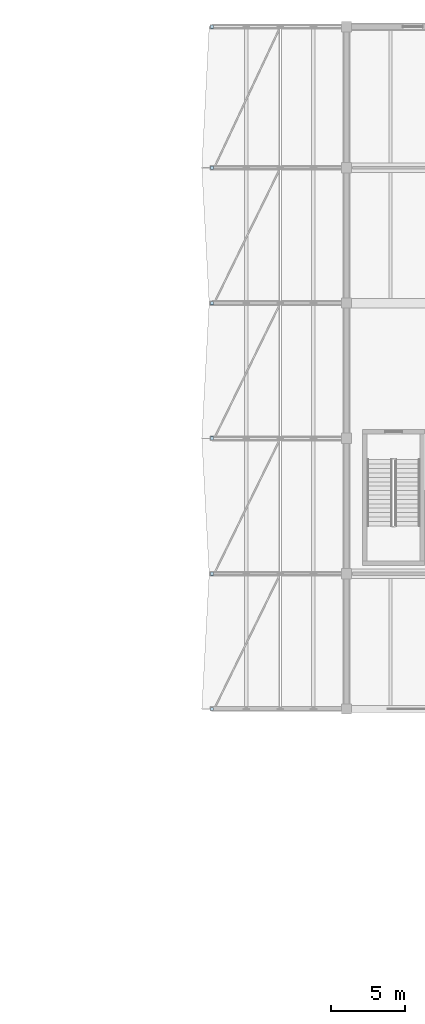
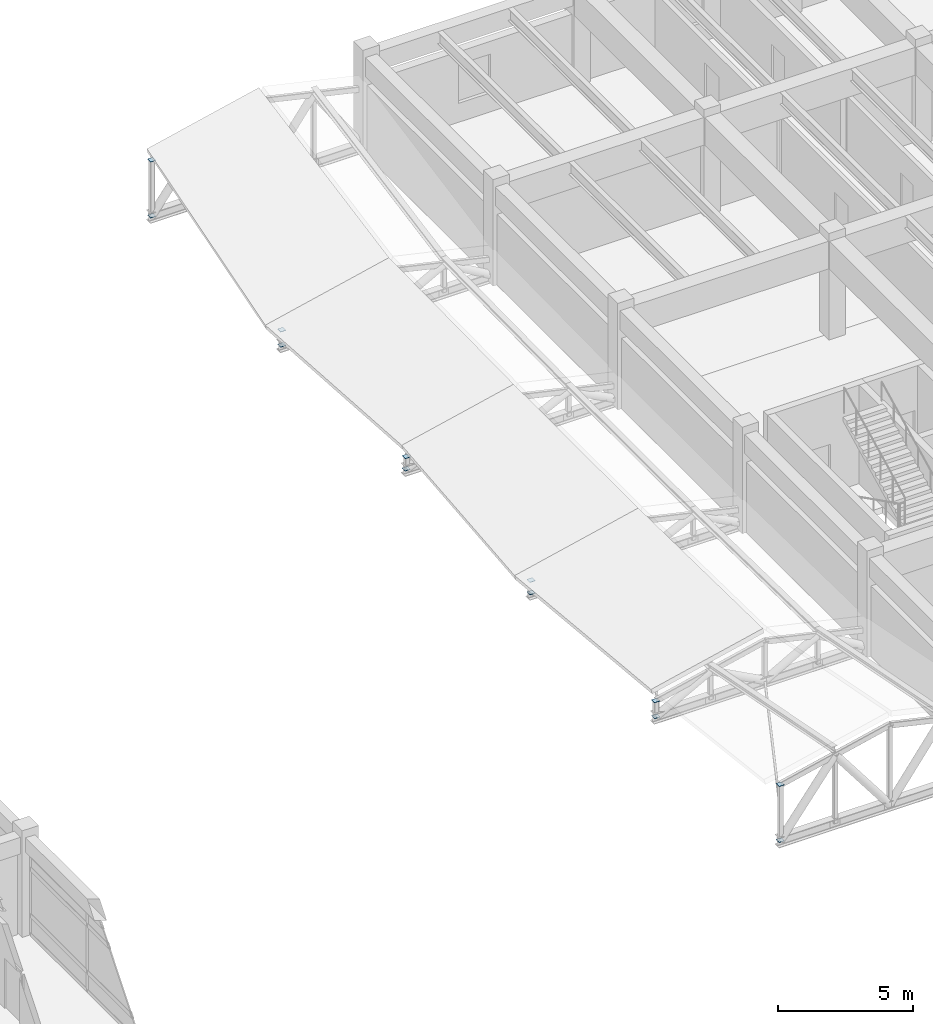
# One storey, part 66 of 90: 12 plates.
"""IFC4 building model written with IfcOpenShell, lengths in metres."""

from ifc_helpers import new_model, si_unit, direction, frame, origin, origin_2d, place, context, subcontext, project, spatial, rectangle, extrude, material, layer, layer_set, type_object, element, save


model = new_model("IFC4")

# Units and contexts
model_context = context("Model", 3, precision=1e-05, world=origin(), true_north=direction((0.0, 1.0)))
body_context = subcontext(model_context, "Body", "Model", "MODEL_VIEW")
ifc_project = project(units=[si_unit("LENGTHUNIT", "METRE"), si_unit("AREAUNIT", "SQUARE_METRE"), si_unit("VOLUMEUNIT", "CUBIC_METRE"), si_unit("PLANEANGLEUNIT", "RADIAN"), si_unit("MASSUNIT", "GRAM", prefix="KILO")], contexts=[model_context])

# Site, building, storey
site_placement = place(None, origin())
site = spatial("IfcSite", under=ifc_project, at=site_placement, CompositionType="ELEMENT")
building_placement = place(site_placement, origin())
building = spatial("IfcBuilding", under=site, at=building_placement, Name="Bozkorgan Art Gallery", CompositionType="ELEMENT")
storey_placement = place(building_placement, frame((0.0, 0.0, 5.39990234375)))
storey = spatial("IfcBuildingStorey", under=building, at=storey_placement, Name="L01", CompositionType="ELEMENT", Elevation=5.39990234375)

# Plates
ifc_material = material(Name="Steel S355J2", Category="steel")
ifc_layer = layer(ifc_material, 0.01611328125, Name="Steel S355J2")
ifc_layer_set = layer_set([ifc_layer], Name="Steel S355J2")
plate_type = type_object("IfcPlateType", Name="PLATE-EC-05", PredefinedType="USERDEFINED", material=ifc_layer_set)
for number, where, z_axis, x_axis, name in (
    (1, (127.85009765625, 66.0, 2.737060546875), (0.0, 0.0, 1.0), (1.0, 0.0, 0.0), "Truss V5 post cap 1.0"),
    (2, (127.85009765625, 66.0, 0.217041015625), (0.0, 0.0, 1.0), (1.0, 0.0, 0.0), "Truss V5 post base cap 1.0"),
    (3, (127.85009765625, 75.199951171875, 0.9326171875), (0.0, 0.0, 1.0), (1.0, 0.0, 0.0), "Truss V5 post cap 2.0"),
    (4, (127.85009765625, 75.199951171875, 0.217041015625), (0.0, 0.0, 1.0), (1.0, 0.0, 0.0), "Truss V5 post base cap 2.0"),
    (5, (127.85009765625, 84.39990234375, 0.77490234375), (0.0, 0.0, 1.0), (1.0, 0.0, 0.0), "Truss V5 post cap 3.0"),
    (6, (127.85009765625, 84.39990234375, 0.217041015625), (0.0, 0.0, 1.0), (1.0, 0.0, 0.0), "Truss V5 post base cap 3.0"),
    (7, (127.85009765625, 93.60009765625, 0.77490234375), (0.0, 0.0, 1.0), (1.0, 0.0, 0.0), "Truss V5 post cap 4.0"),
    (8, (127.85009765625, 93.60009765625, 0.217041015625), (0.0, 0.0, 1.0), (1.0, 0.0, 0.0), "Truss V5 post base cap 4.0"),
    (9, (127.85009765625, 102.800048828125, 0.899658203125), (0.0, 0.0, 1.0), (1.0, 0.0, 0.0), "Truss V5 post cap 5.0"),
    (10, (127.85009765625, 102.800048828125, 0.217041015625), (0.0, 0.0, 1.0), (1.0, 0.0, 0.0), "Truss V5 post base cap 5.0"),
    (11, (127.85009765625, 112.39990234375, 2.737060546875), (0.0, 0.0, 1.0), (1.0, 0.0, 0.0), "Truss V5 post cap 6.0"),
    (12, (127.85009765625, 112.39990234375, 0.217041015625), (0.0, 0.0, 1.0), (1.0, 0.0, 0.0), "Truss V5 post base cap 6.0"),
):
    element("IfcPlate", number, at=place(storey_placement, frame(where, z_axis=z_axis, x_axis=x_axis)), inside=storey, type_object=plate_type, Name=name, ObjectType="END CAP PLATE", PredefinedType="USERDEFINED", context=body_context, shape_type="SweptSolid", body=[
        extrude(rectangle(XDim=0.22998046875, YDim=0.22998046875, at=origin_2d()), origin(), (0.0, 0.0, 1.0), 0.01611328125),
    ])

save(model, "model.ifc")
